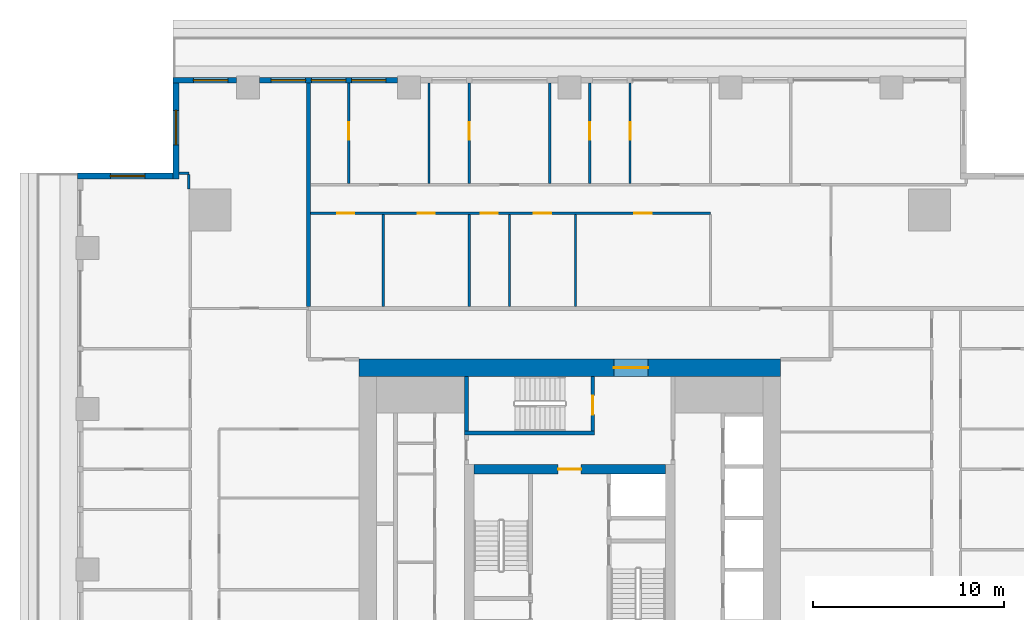
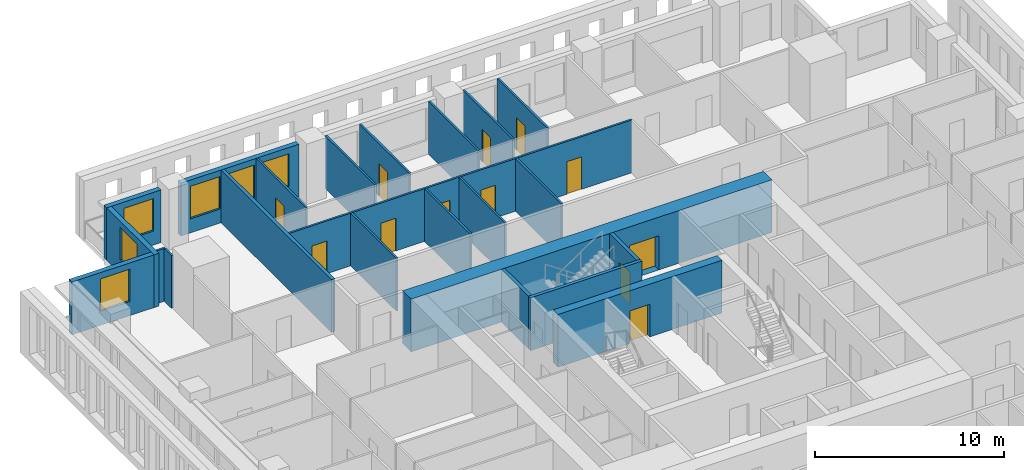
# One storey, part 7 of 14: 23 walls, 12 doors, 6 windows, 18 openings.
"""IFC4 building model written with IfcOpenShell, lengths in metres."""

from ifc_helpers import new_model, si_unit, direction, frame, frame_2d, origin, place, context, subcontext, project, spatial, rectangle, extrude, material, layer, layer_set, type_object, element, fill, save


model = new_model("IFC4")

# Units and contexts
model_context = context("Model", 3, precision=1e-05, world=origin(), true_north=direction((0.0, 1.0)))
body_context = subcontext(model_context, "Body", "Model", "MODEL_VIEW")
ifc_project = project(units=[si_unit("LENGTHUNIT", "METRE"), si_unit("AREAUNIT", "SQUARE_METRE"), si_unit("VOLUMEUNIT", "CUBIC_METRE"), si_unit("PLANEANGLEUNIT", "RADIAN"), si_unit("MASSUNIT", "GRAM", prefix="KILO")], contexts=[model_context])

# Site, building, storey
site_placement = place(None, origin())
site = spatial("IfcSite", under=ifc_project, at=site_placement, CompositionType="ELEMENT")
building_placement = place(site_placement, origin())
building = spatial("IfcBuilding", under=site, at=building_placement, Name="Khepri Terraces", CompositionType="ELEMENT")
storey_placement = place(building_placement, frame((0.0, 0.0, 283.5)))
storey = spatial("IfcBuildingStorey", under=building, at=storey_placement, Name="L68", CompositionType="ELEMENT", Elevation=283.5)

# Walls
ifc_material_1 = material(Name="Concrete C40/50", Category="concrete")
ifc_layer_1 = layer(ifc_material_1, 0.199951171875, Name="Concrete C40/50", Category="concrete")
ifc_layer_set_1 = layer_set([ifc_layer_1], Name="Concrete C40/50")
wall_type_1 = type_object("IfcWallType", Name="Core wall 200 C40/50", PredefinedType="SHEAR", material=ifc_layer_set_1)
wall_1_placement = place(storey_placement, frame((-5.5, 7.14990234375, 0.0), z_axis=(0.0, 0.0, 1.0), x_axis=(1.0, 0.0, 0.0)))
element("IfcWall", 1, at=wall_1_placement, inside=storey, type_object=wall_type_1, Name="Core wall ST05 L68", PredefinedType="SHEAR", context=body_context, shape_type="SweptSolid", body=[
    extrude(rectangle(XDim=6.800048828125, YDim=0.199951171875, at=frame_2d((3.39990234375, 0.0))), origin(), (0.0, 0.0, 1.0), 3.39990234375),
])
wall_2_placement = place(storey_placement, frame((-5.39990234375, 7.25, 0.0), z_axis=(0.0, 0.0, 1.0), x_axis=(0.0, 1.0, 0.0)))
element("IfcWall", 2, at=wall_2_placement, inside=storey, type_object=wall_type_1, Name="Core wall ST06 L68", PredefinedType="SHEAR", context=body_context, shape_type="SweptSolid", body=[
    extrude(rectangle(XDim=2.85009765625, YDim=0.199951171875, at=frame_2d((1.425048828125, 0.0))), origin(), (0.0, 0.0, 1.0), 3.39990234375),
])

# Wall, opening, door
wall_3_placement = place(storey_placement, frame((1.199951171875, 7.25, 0.0), z_axis=(0.0, 0.0, 1.0), x_axis=(0.0, 1.0, 0.0)))
wall_3 = element("IfcWall", 3, at=wall_3_placement, inside=storey, type_object=wall_type_1, Name="Core wall ST07 L68", PredefinedType="SHEAR", context=body_context, shape_type="SweptSolid", body=[
    extrude(rectangle(XDim=2.85009765625, YDim=0.199951171875, at=frame_2d((1.425048828125, 0.0))), origin(), (0.0, 0.0, 1.0), 3.39990234375),
])
opening_1_placement = place(wall_3_placement, frame((0.85009765625, 0.0, 0.0)))
opening_1 = element("IfcOpeningElement", 4, at=opening_1_placement, cuts=wall_3, Name="Opening L68-C15", PredefinedType="OPENING", context=body_context, shape_type="SweptSolid", body=[
    extrude(rectangle(XDim=1.0, YDim=2.10009765625, at=frame_2d((0.5, 1.050048828125))), frame((0.0, 0.10986328125, 0.0), z_axis=(0.0, -1.0, 0.0), x_axis=(1.0, 0.0, 0.0)), (0.0, 0.0, 1.0), 0.219970703125),
])
ifc_material_2 = material(Name="Painted steel", Category="steel")
door_type_1 = type_object("IfcDoorType", Name="DR-CORE-STAIR-1000", OperationType="NOTDEFINED", PredefinedType="DOOR", material=ifc_material_2)
door_1_placement = place(opening_1_placement, origin())
door_1 = element("IfcDoor", 5, at=door_1_placement, inside=storey, type_object=door_type_1, Name="Stair door L68-C15", OperationType="SINGLE_SWING_LEFT", OverallHeight=2.10009765625, OverallWidth=1.0, PredefinedType="DOOR", context=body_context, shape_type="SweptSolid", body=[
    extrude(rectangle(XDim=1.0, YDim=2.10009765625, at=frame_2d((0.5, 1.050048828125))), frame((0.0, 0.02490234375, 0.0), z_axis=(0.0, -1.0, 0.0), x_axis=(1.0, 0.0, 0.0)), (0.0, 0.0, 1.0), 0.050048828125),
])
fill(opening_1, door_1)

ifc_layer_2 = layer(ifc_material_1, 0.5, Name="Concrete C40/50", Category="concrete")
ifc_layer_set_2 = layer_set([ifc_layer_2], Name="Concrete C40/50")
wall_type_2 = type_object("IfcWallType", Name="Core wall 500 C40/50", PredefinedType="SHEAR", material=ifc_layer_set_2)
wall_4_placement = place(storey_placement, frame((-5.0, 5.25, 0.0), z_axis=(0.0, 0.0, 1.0), x_axis=(1.0, 0.0, 0.0)))
wall_4 = element("IfcWall", 6, at=wall_4_placement, inside=storey, type_object=wall_type_2, Name="Core wall BX04 L68", PredefinedType="SHEAR", context=body_context, shape_type="SweptSolid", body=[
    extrude(rectangle(XDim=10.0, YDim=0.5, at=frame_2d((5.0, 0.0))), origin(), (0.0, 0.0, 1.0), 3.39990234375),
])
opening_2_placement = place(wall_4_placement, frame((4.39990234375, 0.0, 0.0)))
opening_2 = element("IfcOpeningElement", 7, at=opening_2_placement, cuts=wall_4, Name="Opening L68-C13", PredefinedType="OPENING", context=body_context, shape_type="SweptSolid", body=[
    extrude(rectangle(XDim=1.199951171875, YDim=2.10009765625, at=frame_2d((0.60009765625, 1.050048828125))), frame((0.0, 0.260009765625, 0.0), z_axis=(0.0, -1.0, 0.0), x_axis=(1.0, 0.0, 0.0)), (0.0, 0.0, 1.0), 0.52001953125),
])
door_type_2 = type_object("IfcDoorType", Name="DR-CORE-FF-LOBBY-1200", OperationType="NOTDEFINED", PredefinedType="DOOR", material=ifc_material_2)
door_2_placement = place(opening_2_placement, frame((1.199951171875, 0.0, 0.0), z_axis=(0.0, 0.0, 1.0), x_axis=(-1.0, 0.0, 0.0)))
door_2 = element("IfcDoor", 8, at=door_2_placement, inside=storey, type_object=door_type_2, Name="Firefighting lobby door L68-C13", OperationType="SINGLE_SWING_LEFT", OverallHeight=2.10009765625, OverallWidth=1.199951171875, PredefinedType="DOOR", context=body_context, shape_type="SweptSolid", body=[
    extrude(rectangle(XDim=1.199951171875, YDim=2.10009765625, at=frame_2d((0.60009765625, 1.050048828125))), frame((0.0, 0.02490234375, 0.0), z_axis=(0.0, -1.0, 0.0), x_axis=(1.0, 0.0, 0.0)), (0.0, 0.0, 1.0), 0.050048828125),
])
fill(opening_2, door_2)

ifc_layer_3 = layer(ifc_material_1, 0.89990234375, Name="Concrete C40/50", Category="concrete")
ifc_layer_set_3 = layer_set([ifc_layer_3], Name="Concrete C40/50")
wall_type_3 = type_object("IfcWallType", Name="Core wall 900 C40/50", PredefinedType="SHEAR", material=ifc_layer_set_3)
wall_5_placement = place(storey_placement, frame((-11.0, 10.550048828125, 0.0), z_axis=(0.0, 0.0, 1.0), x_axis=(1.0, 0.0, 0.0)))
wall_5 = element("IfcWall", 9, at=wall_5_placement, inside=storey, type_object=wall_type_3, Name="Core wall OW-N L68", PredefinedType="SHEAR", context=body_context, shape_type="SweptSolid", body=[
    extrude(rectangle(XDim=22.0, YDim=0.89990234375, at=frame_2d((11.0, 0.0))), origin(), (0.0, 0.0, 1.0), 3.39990234375),
])
opening_3_placement = place(wall_5_placement, frame((13.300048828125, 0.0, 0.0)))
opening_3 = element("IfcOpeningElement", 10, at=opening_3_placement, cuts=wall_5, Name="Opening L68-C20", PredefinedType="OPENING", context=body_context, shape_type="SweptSolid", body=[
    extrude(rectangle(XDim=1.800048828125, YDim=2.199951171875, at=frame_2d((0.89990234375, 1.10009765625))), frame((0.0, 0.4599609375, 0.0), z_axis=(0.0, -1.0, 0.0), x_axis=(1.0, 0.0, 0.0)), (0.0, 0.0, 1.0), 0.919921875),
])
door_type_3 = type_object("IfcDoorType", Name="DR-CORE-ENTRANCE-1800", OperationType="NOTDEFINED", PredefinedType="DOOR", material=ifc_material_2)
door_3_placement = place(opening_3_placement, origin())
door_3 = element("IfcDoor", 11, at=door_3_placement, inside=storey, type_object=door_type_3, Name="Core entrance door pair L68-C20", OperationType="DOUBLE_DOOR_SINGLE_SWING", OverallHeight=2.199951171875, OverallWidth=1.800048828125, PredefinedType="DOOR", context=body_context, shape_type="SweptSolid", body=[
    extrude(rectangle(XDim=1.800048828125, YDim=2.199951171875, at=frame_2d((0.89990234375, 1.10009765625))), frame((0.0, 0.02490234375, 0.0), z_axis=(0.0, -1.0, 0.0), x_axis=(1.0, 0.0, 0.0)), (0.0, 0.0, 1.0), 0.050048828125),
])
fill(opening_3, door_3)

# Wall
ifc_material_3 = material(Name="Fire-rated gypsum plasterboard partition, mineral wool")
ifc_layer_4 = layer(ifc_material_3, 0.199951171875, Name="Fire-rated gypsum plasterboard partition, mineral wool")
ifc_layer_set_4 = layer_set([ifc_layer_4], Name="Fire-rated gypsum plasterboard partition, mineral wool")
wall_type_4 = type_object("IfcWallType", Name="WL-CORR-200", PredefinedType="PARTITIONING", material=ifc_layer_set_4)
wall_6_placement = place(storey_placement, frame((-13.64990234375, 13.75, 0.0), z_axis=(0.0, 0.0, 1.0), x_axis=(0.0, 1.0, 0.0)))
element("IfcWall", 12, at=wall_6_placement, inside=storey, type_object=wall_type_4, Name="Partition P-081 L68", PredefinedType="PARTITIONING", context=body_context, shape_type="SweptSolid", body=[
    extrude(rectangle(XDim=11.669921875, YDim=0.199951171875, at=frame_2d((5.8349609375, 0.0))), origin(), (0.0, 0.0, 1.0), 3.39990234375),
])

# Wall, openings, windows
ifc_material_4 = material(Name="Precast concrete C50/60 warm stone", Category="masonry")
ifc_layer_5 = layer(ifc_material_4, 0.300048828125, Name="Precast concrete C50/60 warm stone", Category="masonry")
ifc_layer_set_5 = layer_set([ifc_layer_5], Name="Precast concrete C50/60 warm stone")
wall_type_5 = type_object("IfcWallType", Name="WL-EXT-PRECAST-300", PredefinedType="STANDARD", material=ifc_layer_set_5)
wall_7_placement = place(storey_placement, frame((-9.0, 25.570068359375, 0.0), z_axis=(0.0, 0.0, 1.0), x_axis=(-1.0, 0.0, 0.0)))
wall_7 = element("IfcWall", 13, at=wall_7_placement, inside=storey, type_object=wall_type_5, Name="External wall L68 N", PredefinedType="STANDARD", context=body_context, shape_type="SweptSolid", body=[
    extrude(rectangle(XDim=7.199951171875, YDim=0.300048828125, at=frame_2d((3.60009765625, 0.0))), origin(), (0.0, 0.0, 1.0), 3.39990234375),
])
opening_4_placement = place(wall_7_placement, frame((0.60009765625, 0.0, 0.89990234375)))
opening_4 = element("IfcOpeningElement", 14, at=opening_4_placement, cuts=wall_7, Name="Opening W1", PredefinedType="OPENING", context=body_context, shape_type="SweptSolid", body=[
    extrude(rectangle(XDim=1.800048828125, YDim=2.10009765625, at=frame_2d((0.89990234375, 1.050048828125))), frame((0.0, 0.16015625, 0.0), z_axis=(0.0, -1.0, 0.0), x_axis=(1.0, 0.0, 0.0)), (0.0, 0.0, 1.0), 0.320068359375),
])
opening_5_placement = place(wall_7_placement, frame((2.699951171875, 0.0, 0.89990234375)))
opening_5 = element("IfcOpeningElement", 15, at=opening_5_placement, cuts=wall_7, Name="Opening W1", PredefinedType="OPENING", context=body_context, shape_type="SweptSolid", body=[
    extrude(rectangle(XDim=1.800048828125, YDim=2.10009765625, at=frame_2d((0.89990234375, 1.050048828125))), frame((0.0, 0.16015625, 0.0), z_axis=(0.0, -1.0, 0.0), x_axis=(1.0, 0.0, 0.0)), (0.0, 0.0, 1.0), 0.320068359375),
])
opening_6_placement = place(wall_7_placement, frame((4.800048828125, 0.0, 0.89990234375)))
opening_6 = element("IfcOpeningElement", 16, at=opening_6_placement, cuts=wall_7, Name="Opening W1", PredefinedType="OPENING", context=body_context, shape_type="SweptSolid", body=[
    extrude(rectangle(XDim=1.800048828125, YDim=2.10009765625, at=frame_2d((0.89990234375, 1.050048828125))), frame((0.0, 0.16015625, 0.0), z_axis=(0.0, -1.0, 0.0), x_axis=(1.0, 0.0, 0.0)), (0.0, 0.0, 1.0), 0.320068359375),
])
ifc_material_5 = material(Name="Clear glass", Category="glass")
window_type = type_object("IfcWindowType", Name="WIN-RES-1800x2100", PartitioningType="SINGLE_PANEL", PredefinedType="WINDOW", material=ifc_material_5)
window_1_placement = place(opening_4_placement, origin())
window_1 = element("IfcWindow", 17, at=window_1_placement, inside=storey, type_object=window_type, Name="Window L68 N", OverallHeight=2.10009765625, OverallWidth=1.800048828125, PartitioningType="SINGLE_PANEL", PredefinedType="WINDOW", context=body_context, shape_type="SweptSolid", body=[
    extrude(rectangle(XDim=1.800048828125, YDim=2.10009765625, at=frame_2d((0.89990234375, 1.050048828125))), frame((0.0, 0.030029296875, 0.0), z_axis=(0.0, -1.0, 0.0), x_axis=(1.0, 0.0, 0.0)), (0.0, 0.0, 1.0), 0.06005859375),
])
fill(opening_4, window_1)
window_2_placement = place(opening_5_placement, origin())
window_2 = element("IfcWindow", 18, at=window_2_placement, inside=storey, type_object=window_type, Name="Window L68 N", OverallHeight=2.10009765625, OverallWidth=1.800048828125, PartitioningType="SINGLE_PANEL", PredefinedType="WINDOW", context=body_context, shape_type="SweptSolid", body=[
    extrude(rectangle(XDim=1.800048828125, YDim=2.10009765625, at=frame_2d((0.89990234375, 1.050048828125))), frame((0.0, 0.030029296875, 0.0), z_axis=(0.0, -1.0, 0.0), x_axis=(1.0, 0.0, 0.0)), (0.0, 0.0, 1.0), 0.06005859375),
])
fill(opening_5, window_2)
window_3_placement = place(opening_6_placement, origin())
window_3 = element("IfcWindow", 19, at=window_3_placement, inside=storey, type_object=window_type, Name="Window L68 N", OverallHeight=2.10009765625, OverallWidth=1.800048828125, PartitioningType="SINGLE_PANEL", PredefinedType="WINDOW", context=body_context, shape_type="SweptSolid", body=[
    extrude(rectangle(XDim=1.800048828125, YDim=2.10009765625, at=frame_2d((0.89990234375, 1.050048828125))), frame((0.0, 0.030029296875, 0.0), z_axis=(0.0, -1.0, 0.0), x_axis=(1.0, 0.0, 0.0)), (0.0, 0.0, 1.0), 0.06005859375),
])
fill(opening_6, window_3)

# Wall, opening, window
wall_8_placement = place(storey_placement, frame((-17.39990234375, 25.570068359375, 0.0), z_axis=(0.0, 0.0, 1.0), x_axis=(-1.0, 0.0, 0.0)))
wall_8 = element("IfcWall", 20, at=wall_8_placement, inside=storey, type_object=wall_type_5, Name="External wall L68 N", PredefinedType="STANDARD", context=body_context, shape_type="SweptSolid", body=[
    extrude(rectangle(XDim=3.320068359375, YDim=0.300048828125, at=frame_2d((1.66015625, 0.0))), origin(), (0.0, 0.0, 1.0), 3.39990234375),
])
opening_7_placement = place(wall_8_placement, frame((0.45947265625, 0.0, 0.89990234375)))
opening_7 = element("IfcOpeningElement", 21, at=opening_7_placement, cuts=wall_8, Name="Opening W1", PredefinedType="OPENING", context=body_context, shape_type="SweptSolid", body=[
    extrude(rectangle(XDim=1.800048828125, YDim=2.10009765625, at=frame_2d((0.89990234375, 1.050048828125))), frame((0.0, 0.16015625, 0.0), z_axis=(0.0, -1.0, 0.0), x_axis=(1.0, 0.0, 0.0)), (0.0, 0.0, 1.0), 0.320068359375),
])
window_4_placement = place(opening_7_placement, origin())
window_4 = element("IfcWindow", 22, at=window_4_placement, inside=storey, type_object=window_type, Name="Window L68 N", OverallHeight=2.10009765625, OverallWidth=1.800048828125, PartitioningType="SINGLE_PANEL", PredefinedType="WINDOW", context=body_context, shape_type="SweptSolid", body=[
    extrude(rectangle(XDim=1.800048828125, YDim=2.10009765625, at=frame_2d((0.89990234375, 1.050048828125))), frame((0.0, 0.030029296875, 0.0), z_axis=(0.0, -1.0, 0.0), x_axis=(1.0, 0.0, 0.0)), (0.0, 0.0, 1.0), 0.06005859375),
])
fill(opening_7, window_4)

wall_9_placement = place(storey_placement, frame((-20.570068359375, 25.419921875, 0.0), z_axis=(0.0, 0.0, 1.0), x_axis=(0.0, -1.0, 0.0)))
wall_9 = element("IfcWall", 23, at=wall_9_placement, inside=storey, type_object=wall_type_5, Name="External wall L68 W", PredefinedType="STANDARD", context=body_context, shape_type="SweptSolid", body=[
    extrude(rectangle(XDim=5.0, YDim=0.300048828125, at=frame_2d((2.5, 0.0))), origin(), (0.0, 0.0, 1.0), 3.39990234375),
])
opening_8_placement = place(wall_9_placement, frame((1.419921875, 0.0, 0.89990234375)))
opening_8 = element("IfcOpeningElement", 24, at=opening_8_placement, cuts=wall_9, Name="Opening W1", PredefinedType="OPENING", context=body_context, shape_type="SweptSolid", body=[
    extrude(rectangle(XDim=1.800048828125, YDim=2.10009765625, at=frame_2d((0.89990234375, 1.050048828125))), frame((0.0, 0.16015625, 0.0), z_axis=(0.0, -1.0, 0.0), x_axis=(1.0, 0.0, 0.0)), (0.0, 0.0, 1.0), 0.320068359375),
])
window_5_placement = place(opening_8_placement, origin())
window_5 = element("IfcWindow", 25, at=window_5_placement, inside=storey, type_object=window_type, Name="Window L68 W", OverallHeight=2.10009765625, OverallWidth=1.800048828125, PartitioningType="SINGLE_PANEL", PredefinedType="WINDOW", context=body_context, shape_type="SweptSolid", body=[
    extrude(rectangle(XDim=1.800048828125, YDim=2.10009765625, at=frame_2d((0.89990234375, 1.050048828125))), frame((0.0, 0.030029296875, 0.0), z_axis=(0.0, -1.0, 0.0), x_axis=(1.0, 0.0, 0.0)), (0.0, 0.0, 1.0), 0.06005859375),
])
fill(opening_8, window_5)

wall_10_placement = place(storey_placement, frame((-20.719970703125, 20.570068359375, 0.0), z_axis=(0.0, 0.0, 1.0), x_axis=(-1.0, 0.0, 0.0)))
wall_10 = element("IfcWall", 26, at=wall_10_placement, inside=storey, type_object=wall_type_5, Name="External wall L68 N", PredefinedType="STANDARD", context=body_context, shape_type="SweptSolid", body=[
    extrude(rectangle(XDim=5.0, YDim=0.300048828125, at=frame_2d((2.5, 0.0))), origin(), (0.0, 0.0, 1.0), 3.39990234375),
])
opening_9_placement = place(wall_10_placement, frame((1.47998046875, 0.0, 0.89990234375)))
opening_9 = element("IfcOpeningElement", 27, at=opening_9_placement, cuts=wall_10, Name="Opening W1", PredefinedType="OPENING", context=body_context, shape_type="SweptSolid", body=[
    extrude(rectangle(XDim=1.800048828125, YDim=2.10009765625, at=frame_2d((0.89990234375, 1.050048828125))), frame((0.0, 0.16015625, 0.0), z_axis=(0.0, -1.0, 0.0), x_axis=(1.0, 0.0, 0.0)), (0.0, 0.0, 1.0), 0.320068359375),
])
window_6_placement = place(opening_9_placement, origin())
window_6 = element("IfcWindow", 28, at=window_6_placement, inside=storey, type_object=window_type, Name="Window L68 N", OverallHeight=2.10009765625, OverallWidth=1.800048828125, PartitioningType="SINGLE_PANEL", PredefinedType="WINDOW", context=body_context, shape_type="SweptSolid", body=[
    extrude(rectangle(XDim=1.800048828125, YDim=2.10009765625, at=frame_2d((0.89990234375, 1.050048828125))), frame((0.0, 0.030029296875, 0.0), z_axis=(0.0, -1.0, 0.0), x_axis=(1.0, 0.0, 0.0)), (0.0, 0.0, 1.0), 0.06005859375),
])
fill(opening_9, window_6)

# Walls
ifc_material_6 = material(Name="Gypsum plasterboard partition")
ifc_layer_6 = layer(ifc_material_6, 0.1201171875, Name="Gypsum plasterboard partition")
ifc_layer_set_6 = layer_set([ifc_layer_6], Name="Gypsum plasterboard partition")
wall_type_6 = type_object("IfcWallType", Name="WL-PART-120", PredefinedType="PARTITIONING", material=ifc_layer_set_6)
for number, where, z_axis, x_axis, name in (
    (29, (-9.75, 13.75, 0.0), (0.0, 0.0, 1.0), (0.0, 1.0, 0.0), "Partition P-082 L68"),
    (30, (-5.25, 13.75, 0.0), (0.0, 0.0, 1.0), (0.0, 1.0, 0.0), "Partition P-083 L68"),
    (31, (-3.14990234375, 13.75, 0.0), (0.0, 0.0, 1.0), (0.0, 1.0, 0.0), "Partition P-084 L68"),
    (32, (0.300048828125, 13.75, 0.0), (0.0, 0.0, 1.0), (0.0, 1.0, 0.0), "Partition P-085 L68"),
):
    element("IfcWall", number, at=place(storey_placement, frame(where, z_axis=z_axis, x_axis=x_axis)), inside=storey, type_object=wall_type_6, Name=name, PredefinedType="PARTITIONING", context=body_context, shape_type="SweptSolid", body=[
        extrude(rectangle(XDim=4.81005859375, YDim=0.1201171875, at=frame_2d((2.405029296875, 0.0))), origin(), (0.0, 0.0, 1.0), 3.39990234375),
    ])

# Wall, openings, doors
wall_11_placement = place(storey_placement, frame((-13.550048828125, 18.6201171875, 0.0), z_axis=(0.0, 0.0, 1.0), x_axis=(1.0, 0.0, 0.0)))
wall_11 = element("IfcWall", 33, at=wall_11_placement, inside=storey, type_object=wall_type_6, Name="Partition P-088 L68", PredefinedType="PARTITIONING", context=body_context, shape_type="SweptSolid", body=[
    extrude(rectangle(XDim=20.900146484375, YDim=0.1201171875, at=frame_2d((10.4501953125, 0.0))), origin(), (0.0, 0.0, 1.0), 3.39990234375),
])
opening_10_placement = place(wall_11_placement, frame((16.925048828125, 0.0, 0.0)))
opening_10 = element("IfcOpeningElement", 34, at=opening_10_placement, cuts=wall_11, Name="Opening D3", PredefinedType="OPENING", context=body_context, shape_type="SweptSolid", body=[
    extrude(rectangle(XDim=0.89990234375, YDim=2.10009765625, at=frame_2d((0.449951171875, 1.050048828125))), frame((0.0, 0.070068359375, 0.0), z_axis=(0.0, -1.0, 0.0), x_axis=(1.0, 0.0, 0.0)), (0.0, 0.0, 1.0), 0.14013671875),
])
opening_11_placement = place(wall_11_placement, frame((11.675048828125, 0.0, 0.0)))
opening_11 = element("IfcOpeningElement", 35, at=opening_11_placement, cuts=wall_11, Name="Opening D3", PredefinedType="OPENING", context=body_context, shape_type="SweptSolid", body=[
    extrude(rectangle(XDim=0.89990234375, YDim=2.10009765625, at=frame_2d((0.449951171875, 1.050048828125))), frame((0.0, 0.070068359375, 0.0), z_axis=(0.0, -1.0, 0.0), x_axis=(1.0, 0.0, 0.0)), (0.0, 0.0, 1.0), 0.14013671875),
])
opening_12_placement = place(wall_11_placement, frame((8.89990234375, 0.0, 0.0)))
opening_12 = element("IfcOpeningElement", 36, at=opening_12_placement, cuts=wall_11, Name="Opening D4", PredefinedType="OPENING", context=body_context, shape_type="SweptSolid", body=[
    extrude(rectangle(XDim=0.89990234375, YDim=2.10009765625, at=frame_2d((0.449951171875, 1.050048828125))), frame((0.0, 0.070068359375, 0.0), z_axis=(0.0, -1.0, 0.0), x_axis=(1.0, 0.0, 0.0)), (0.0, 0.0, 1.0), 0.14013671875),
])
opening_13_placement = place(wall_11_placement, frame((5.60009765625, 0.0, 0.0)))
opening_13 = element("IfcOpeningElement", 37, at=opening_13_placement, cuts=wall_11, Name="Opening D3", PredefinedType="OPENING", context=body_context, shape_type="SweptSolid", body=[
    extrude(rectangle(XDim=0.89990234375, YDim=2.10009765625, at=frame_2d((0.449951171875, 1.050048828125))), frame((0.0, 0.070068359375, 0.0), z_axis=(0.0, -1.0, 0.0), x_axis=(1.0, 0.0, 0.0)), (0.0, 0.0, 1.0), 0.14013671875),
])
opening_14_placement = place(wall_11_placement, frame((1.39990234375, 0.0, 0.0)))
opening_14 = element("IfcOpeningElement", 38, at=opening_14_placement, cuts=wall_11, Name="Opening D4", PredefinedType="OPENING", context=body_context, shape_type="SweptSolid", body=[
    extrude(rectangle(XDim=0.89990234375, YDim=2.10009765625, at=frame_2d((0.449951171875, 1.050048828125))), frame((0.0, 0.070068359375, 0.0), z_axis=(0.0, -1.0, 0.0), x_axis=(1.0, 0.0, 0.0)), (0.0, 0.0, 1.0), 0.14013671875),
])
ifc_material_7 = material(Name="Timber door leaf", Category="wood")
door_type_4 = type_object("IfcDoorType", Name="DR-INT-900", OperationType="NOTDEFINED", PredefinedType="DOOR", material=ifc_material_7)
door_4_placement = place(opening_10_placement, frame((0.89990234375, 0.0, 0.0), z_axis=(0.0, 0.0, 1.0), x_axis=(-1.0, 0.0, 0.0)))
door_4 = element("IfcDoor", 39, at=door_4_placement, inside=storey, type_object=door_type_4, Name="Door Kitchen", OperationType="SINGLE_SWING_LEFT", OverallHeight=2.10009765625, OverallWidth=0.89990234375, PredefinedType="DOOR", context=body_context, shape_type="SweptSolid", body=[
    extrude(rectangle(XDim=0.89990234375, YDim=2.10009765625, at=frame_2d((0.449951171875, 1.050048828125))), frame((0.0, 0.02490234375, 0.0), z_axis=(0.0, -1.0, 0.0), x_axis=(1.0, 0.0, 0.0)), (0.0, 0.0, 1.0), 0.050048828125),
])
fill(opening_10, door_4)
door_5_placement = place(opening_11_placement, frame((0.89990234375, 0.0, 0.0), z_axis=(0.0, 0.0, 1.0), x_axis=(-1.0, 0.0, 0.0)))
door_5 = element("IfcDoor", 40, at=door_5_placement, inside=storey, type_object=door_type_4, Name="Door Service Store", OperationType="SINGLE_SWING_LEFT", OverallHeight=2.10009765625, OverallWidth=0.89990234375, PredefinedType="DOOR", context=body_context, shape_type="SweptSolid", body=[
    extrude(rectangle(XDim=0.89990234375, YDim=2.10009765625, at=frame_2d((0.449951171875, 1.050048828125))), frame((0.0, 0.02490234375, 0.0), z_axis=(0.0, -1.0, 0.0), x_axis=(1.0, 0.0, 0.0)), (0.0, 0.0, 1.0), 0.050048828125),
])
fill(opening_11, door_5)
door_6_placement = place(opening_13_placement, frame((0.89990234375, 0.0, 0.0), z_axis=(0.0, 0.0, 1.0), x_axis=(-1.0, 0.0, 0.0)))
door_6 = element("IfcDoor", 41, at=door_6_placement, inside=storey, type_object=door_type_4, Name="Door Utility Room", OperationType="SINGLE_SWING_RIGHT", OverallHeight=2.10009765625, OverallWidth=0.89990234375, PredefinedType="DOOR", context=body_context, shape_type="SweptSolid", body=[
    extrude(rectangle(XDim=0.89990234375, YDim=2.10009765625, at=frame_2d((0.449951171875, 1.050048828125))), frame((0.0, 0.02490234375, 0.0), z_axis=(0.0, -1.0, 0.0), x_axis=(1.0, 0.0, 0.0)), (0.0, 0.0, 1.0), 0.050048828125),
])
fill(opening_13, door_6)
ifc_material_8 = material(Name="Timber door leaf, moisture resistant", Category="wood")
door_type_5 = type_object("IfcDoorType", Name="DR-WET-900", OperationType="NOTDEFINED", PredefinedType="DOOR", material=ifc_material_8)
door_7_placement = place(opening_12_placement, frame((0.89990234375, 0.0, 0.0), z_axis=(0.0, 0.0, 1.0), x_axis=(-1.0, 0.0, 0.0)))
door_7 = element("IfcDoor", 42, at=door_7_placement, inside=storey, type_object=door_type_5, Name="Door Powder Room", OperationType="SINGLE_SWING_RIGHT", OverallHeight=2.10009765625, OverallWidth=0.89990234375, PredefinedType="DOOR", context=body_context, shape_type="SweptSolid", body=[
    extrude(rectangle(XDim=0.89990234375, YDim=2.10009765625, at=frame_2d((0.449951171875, 1.050048828125))), frame((0.0, 0.02490234375, 0.0), z_axis=(0.0, -1.0, 0.0), x_axis=(1.0, 0.0, 0.0)), (0.0, 0.0, 1.0), 0.050048828125),
])
fill(opening_12, door_7)
door_8_placement = place(opening_14_placement, frame((0.89990234375, 0.0, 0.0), z_axis=(0.0, 0.0, 1.0), x_axis=(-1.0, 0.0, 0.0)))
door_8 = element("IfcDoor", 43, at=door_8_placement, inside=storey, type_object=door_type_5, Name="Door Guest Bathroom", OperationType="SINGLE_SWING_RIGHT", OverallHeight=2.10009765625, OverallWidth=0.89990234375, PredefinedType="DOOR", context=body_context, shape_type="SweptSolid", body=[
    extrude(rectangle(XDim=0.89990234375, YDim=2.10009765625, at=frame_2d((0.449951171875, 1.050048828125))), frame((0.0, 0.02490234375, 0.0), z_axis=(0.0, -1.0, 0.0), x_axis=(1.0, 0.0, 0.0)), (0.0, 0.0, 1.0), 0.050048828125),
])
fill(opening_14, door_8)

# Wall
wall_12_placement = place(storey_placement, frame((-19.90087890625, 19.89990234375, 0.0), z_axis=(0.0, 0.0, 1.0), x_axis=(0.0, 1.0, 0.0)))
element("IfcWall", 44, at=wall_12_placement, inside=storey, type_object=wall_type_6, Name="Partition P-089 L68", PredefinedType="PARTITIONING", context=body_context, shape_type="SweptSolid", body=[
    extrude(rectangle(XDim=0.759033203125, YDim=0.1201171875, at=frame_2d((0.37939453125, 0.0))), origin(), (0.0, 0.0, 1.0), 3.39990234375),
])

# Wall, opening, door
wall_13_placement = place(storey_placement, frame((-11.550048828125, 20.179931640625, 0.0), z_axis=(0.0, 0.0, 1.0), x_axis=(0.0, 1.0, 0.0)))
wall_13 = element("IfcWall", 45, at=wall_13_placement, inside=storey, type_object=wall_type_6, Name="Partition P-091 L68", PredefinedType="PARTITIONING", context=body_context, shape_type="SweptSolid", body=[
    extrude(rectangle(XDim=5.239990234375, YDim=0.1201171875, at=frame_2d((2.6201171875, 0.0))), origin(), (0.0, 0.0, 1.0), 3.39990234375),
])
opening_15_placement = place(wall_13_placement, frame((2.2900390625, 0.0, 0.0)))
opening_15 = element("IfcOpeningElement", 46, at=opening_15_placement, cuts=wall_13, Name="Opening D4", PredefinedType="OPENING", context=body_context, shape_type="SweptSolid", body=[
    extrude(rectangle(XDim=0.89990234375, YDim=2.10009765625, at=frame_2d((0.449951171875, 1.050048828125))), frame((0.0, 0.070068359375, 0.0), z_axis=(0.0, -1.0, 0.0), x_axis=(1.0, 0.0, 0.0)), (0.0, 0.0, 1.0), 0.14013671875),
])
door_9_placement = place(opening_15_placement, origin())
door_9 = element("IfcDoor", 47, at=door_9_placement, inside=storey, type_object=door_type_5, Name="Door Bathroom", OperationType="SINGLE_SWING_RIGHT", OverallHeight=2.10009765625, OverallWidth=0.89990234375, PredefinedType="DOOR", context=body_context, shape_type="SweptSolid", body=[
    extrude(rectangle(XDim=0.89990234375, YDim=2.10009765625, at=frame_2d((0.449951171875, 1.050048828125))), frame((0.0, 0.02490234375, 0.0), z_axis=(0.0, -1.0, 0.0), x_axis=(1.0, 0.0, 0.0)), (0.0, 0.0, 1.0), 0.050048828125),
])
fill(opening_15, door_9)

# Wall
wall_14_placement = place(storey_placement, frame((-7.35009765625, 20.179931640625, 0.0), z_axis=(0.0, 0.0, 1.0), x_axis=(0.0, 1.0, 0.0)))
element("IfcWall", 48, at=wall_14_placement, inside=storey, type_object=wall_type_6, Name="Partition P-092 L68", PredefinedType="PARTITIONING", context=body_context, shape_type="SweptSolid", body=[
    extrude(rectangle(XDim=5.239990234375, YDim=0.1201171875, at=frame_2d((2.6201171875, 0.0))), origin(), (0.0, 0.0, 1.0), 3.39990234375),
])

# Wall, opening, door
wall_15_placement = place(storey_placement, frame((-5.25, 20.179931640625, 0.0), z_axis=(0.0, 0.0, 1.0), x_axis=(0.0, 1.0, 0.0)))
wall_15 = element("IfcWall", 49, at=wall_15_placement, inside=storey, type_object=wall_type_6, Name="Partition P-093 L68", PredefinedType="PARTITIONING", context=body_context, shape_type="SweptSolid", body=[
    extrude(rectangle(XDim=5.239990234375, YDim=0.1201171875, at=frame_2d((2.6201171875, 0.0))), origin(), (0.0, 0.0, 1.0), 3.39990234375),
])
opening_16_placement = place(wall_15_placement, frame((2.2900390625, 0.0, 0.0)))
opening_16 = element("IfcOpeningElement", 50, at=opening_16_placement, cuts=wall_15, Name="Opening D4", PredefinedType="OPENING", context=body_context, shape_type="SweptSolid", body=[
    extrude(rectangle(XDim=0.89990234375, YDim=2.10009765625, at=frame_2d((0.449951171875, 1.050048828125))), frame((0.0, 0.070068359375, 0.0), z_axis=(0.0, -1.0, 0.0), x_axis=(1.0, 0.0, 0.0)), (0.0, 0.0, 1.0), 0.14013671875),
])
door_10_placement = place(opening_16_placement, origin())
door_10 = element("IfcDoor", 51, at=door_10_placement, inside=storey, type_object=door_type_5, Name="Door Bathroom", OperationType="SINGLE_SWING_RIGHT", OverallHeight=2.10009765625, OverallWidth=0.89990234375, PredefinedType="DOOR", context=body_context, shape_type="SweptSolid", body=[
    extrude(rectangle(XDim=0.89990234375, YDim=2.10009765625, at=frame_2d((0.449951171875, 1.050048828125))), frame((0.0, 0.02490234375, 0.0), z_axis=(0.0, -1.0, 0.0), x_axis=(1.0, 0.0, 0.0)), (0.0, 0.0, 1.0), 0.050048828125),
])
fill(opening_16, door_10)

# Wall
wall_16_placement = place(storey_placement, frame((-1.050048828125, 20.179931640625, 0.0), z_axis=(0.0, 0.0, 1.0), x_axis=(0.0, 1.0, 0.0)))
element("IfcWall", 52, at=wall_16_placement, inside=storey, type_object=wall_type_6, Name="Partition P-094 L68", PredefinedType="PARTITIONING", context=body_context, shape_type="SweptSolid", body=[
    extrude(rectangle(XDim=5.239990234375, YDim=0.1201171875, at=frame_2d((2.6201171875, 0.0))), origin(), (0.0, 0.0, 1.0), 3.39990234375),
])

# Wall, opening, door
wall_17_placement = place(storey_placement, frame((1.050048828125, 20.179931640625, 0.0), z_axis=(0.0, 0.0, 1.0), x_axis=(0.0, 1.0, 0.0)))
wall_17 = element("IfcWall", 53, at=wall_17_placement, inside=storey, type_object=wall_type_6, Name="Partition P-095 L68", PredefinedType="PARTITIONING", context=body_context, shape_type="SweptSolid", body=[
    extrude(rectangle(XDim=5.239990234375, YDim=0.1201171875, at=frame_2d((2.6201171875, 0.0))), origin(), (0.0, 0.0, 1.0), 3.39990234375),
])
opening_17_placement = place(wall_17_placement, frame((2.2900390625, 0.0, 0.0)))
opening_17 = element("IfcOpeningElement", 54, at=opening_17_placement, cuts=wall_17, Name="Opening D4", PredefinedType="OPENING", context=body_context, shape_type="SweptSolid", body=[
    extrude(rectangle(XDim=0.89990234375, YDim=2.10009765625, at=frame_2d((0.449951171875, 1.050048828125))), frame((0.0, 0.070068359375, 0.0), z_axis=(0.0, -1.0, 0.0), x_axis=(1.0, 0.0, 0.0)), (0.0, 0.0, 1.0), 0.14013671875),
])
door_11_placement = place(opening_17_placement, origin())
door_11 = element("IfcDoor", 55, at=door_11_placement, inside=storey, type_object=door_type_5, Name="Door Bathroom", OperationType="SINGLE_SWING_RIGHT", OverallHeight=2.10009765625, OverallWidth=0.89990234375, PredefinedType="DOOR", context=body_context, shape_type="SweptSolid", body=[
    extrude(rectangle(XDim=0.89990234375, YDim=2.10009765625, at=frame_2d((0.449951171875, 1.050048828125))), frame((0.0, 0.02490234375, 0.0), z_axis=(0.0, -1.0, 0.0), x_axis=(1.0, 0.0, 0.0)), (0.0, 0.0, 1.0), 0.050048828125),
])
fill(opening_17, door_11)

wall_18_placement = place(storey_placement, frame((3.14990234375, 20.179931640625, 0.0), z_axis=(0.0, 0.0, 1.0), x_axis=(0.0, 1.0, 0.0)))
wall_18 = element("IfcWall", 56, at=wall_18_placement, inside=storey, type_object=wall_type_6, Name="Partition P-096 L68", PredefinedType="PARTITIONING", context=body_context, shape_type="SweptSolid", body=[
    extrude(rectangle(XDim=5.239990234375, YDim=0.1201171875, at=frame_2d((2.6201171875, 0.0))), origin(), (0.0, 0.0, 1.0), 3.39990234375),
])
opening_18_placement = place(wall_18_placement, frame((2.2900390625, 0.0, 0.0)))
opening_18 = element("IfcOpeningElement", 57, at=opening_18_placement, cuts=wall_18, Name="Opening D3", PredefinedType="OPENING", context=body_context, shape_type="SweptSolid", body=[
    extrude(rectangle(XDim=0.89990234375, YDim=2.10009765625, at=frame_2d((0.449951171875, 1.050048828125))), frame((0.0, 0.070068359375, 0.0), z_axis=(0.0, -1.0, 0.0), x_axis=(1.0, 0.0, 0.0)), (0.0, 0.0, 1.0), 0.14013671875),
])
door_12_placement = place(opening_18_placement, origin())
door_12 = element("IfcDoor", 58, at=door_12_placement, inside=storey, type_object=door_type_4, Name="Door Dressing Room", OperationType="SINGLE_SWING_RIGHT", OverallHeight=2.10009765625, OverallWidth=0.89990234375, PredefinedType="DOOR", context=body_context, shape_type="SweptSolid", body=[
    extrude(rectangle(XDim=0.89990234375, YDim=2.10009765625, at=frame_2d((0.449951171875, 1.050048828125))), frame((0.0, 0.02490234375, 0.0), z_axis=(0.0, -1.0, 0.0), x_axis=(1.0, 0.0, 0.0)), (0.0, 0.0, 1.0), 0.050048828125),
])
fill(opening_18, door_12)

# Wall
wall_19_placement = place(storey_placement, frame((-20.4208984375, 20.718994140625, 0.0), z_axis=(0.0, 0.0, 1.0), x_axis=(1.0, 0.0, 0.0)))
element("IfcWall", 59, at=wall_19_placement, inside=storey, type_object=wall_type_6, Name="Partition P-100 L68", PredefinedType="PARTITIONING", context=body_context, shape_type="SweptSolid", body=[
    extrude(rectangle(XDim=0.52001953125, YDim=0.1201171875, at=frame_2d((0.260009765625, 0.0))), origin(), (0.0, 0.0, 1.0), 3.39990234375),
])

save(model, "model.ifc")
